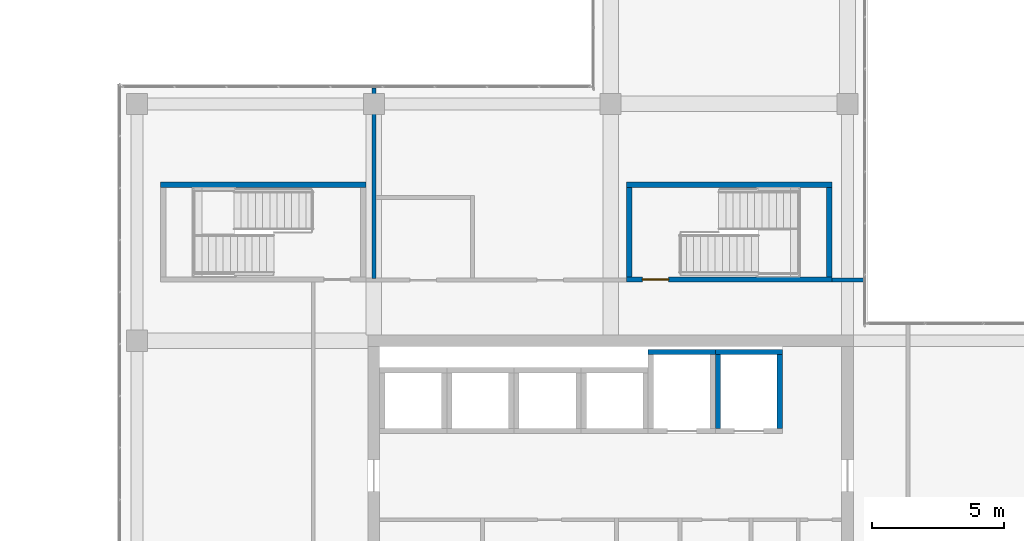
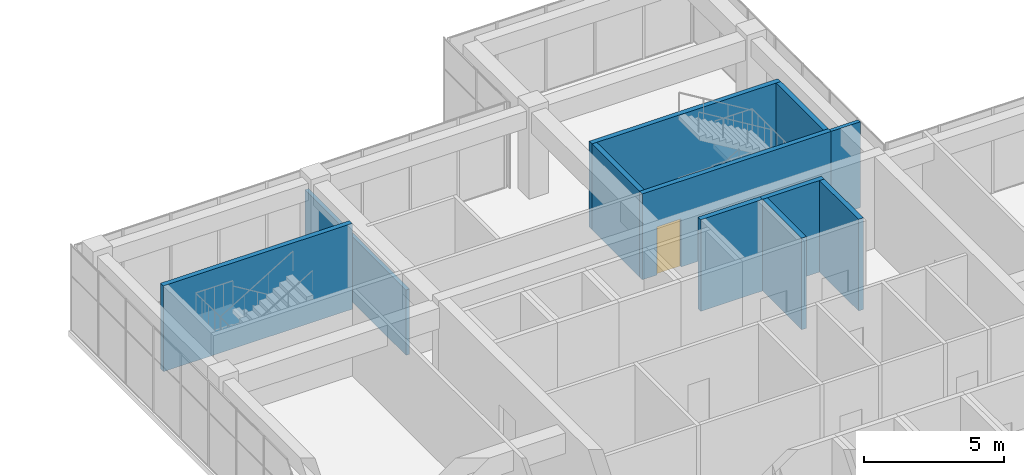
# One storey, part 51 of 55: 11 walls, 1 door, 1 opening.
"""IFC4 building model written with IfcOpenShell, lengths in metres."""

from ifc_helpers import new_model, si_unit, direction, frame, frame_2d, origin, place, context, subcontext, project, spatial, rectangle, extrude, material, layer, layer_set, type_object, element, fill, save


model = new_model("IFC4")

# Units and contexts
model_context = context("Model", 3, precision=1e-05, world=origin(), true_north=direction((0.0, 1.0)))
body_context = subcontext(model_context, "Body", "Model", "MODEL_VIEW")
ifc_project = project(units=[si_unit("LENGTHUNIT", "METRE"), si_unit("AREAUNIT", "SQUARE_METRE"), si_unit("VOLUMEUNIT", "CUBIC_METRE"), si_unit("PLANEANGLEUNIT", "RADIAN"), si_unit("MASSUNIT", "GRAM", prefix="KILO")], contexts=[model_context])

# Site, building, storey
site_placement = place(None, origin())
site = spatial("IfcSite", under=ifc_project, at=site_placement, CompositionType="ELEMENT")
building_placement = place(site_placement, origin())
building = spatial("IfcBuilding", under=site, at=building_placement, Name="Tuart Plaza Theatre", CompositionType="ELEMENT")
storey_placement = place(building_placement, frame((0.0, 0.0, 21.5)))
storey = spatial("IfcBuildingStorey", under=building, at=storey_placement, Name="L05", CompositionType="ELEMENT", Elevation=21.5)

# Walls
ifc_material_1 = material(Name="Masonry block", Category="masonry")
ifc_layer_1 = layer(ifc_material_1, 0.14990234375)
ifc_layer_set_1 = layer_set([ifc_layer_1], Name="PARTITION BLK150 MASONRYB FRL 120/-/-")
wall_type_1 = type_object("IfcWallType", Name="PARTITION BLK150 MASONRYB FRL 120/-/-", PredefinedType="PARTITIONING", material=ifc_layer_set_1)
wall_1_placement = place(storey_placement, frame((140.39990234375, 85.300048828125, 0.0), z_axis=(0.0, 0.0, 1.0), x_axis=(1.0, 0.0, 0.0)))
element("IfcWall", 1, at=wall_1_placement, inside=storey, type_object=wall_type_1, Name="P629", PredefinedType="PARTITIONING", context=body_context, shape_type="SweptSolid", body=[
    extrude(rectangle(XDim=1.2001953125, YDim=0.14990234375, at=frame_2d((0.60009765625, 0.0))), origin(), (0.0, 0.0, 1.0), 3.75),
])
wall_2_placement = place(storey_placement, frame((123.0, 85.3740234375, 0.0), z_axis=(0.0, 0.0, 1.0), x_axis=(0.0, 1.0, 0.0)))
element("IfcWall", 2, at=wall_2_placement, inside=storey, type_object=wall_type_1, Name="P631", PredefinedType="PARTITIONING", context=body_context, shape_type="SweptSolid", body=[
    extrude(rectangle(XDim=7.22607421875, YDim=0.14990234375, at=frame_2d((3.613037109375, 0.0))), origin(), (0.0, 0.0, 1.0), 2.85009765625),
])
ifc_material_2 = material(Name="Concrete N40 (40 MPa)", Category="concrete")
ifc_layer_2 = layer(ifc_material_2, 0.199951171875)
ifc_layer_set_2 = layer_set([ifc_layer_2], Name="SHEAR WALL RC200 FRL 120/120/120")
wall_type_2 = type_object("IfcWallType", Name="SHEAR WALL RC200 FRL 120/120/120", PredefinedType="SHEAR", material=ifc_layer_set_2)
wall_3_placement = place(storey_placement, frame((135.97509765625, 82.574951171875, 0.0), z_axis=(0.0, 0.0, 1.0), x_axis=(-1.0, 0.0, 0.0)))
element("IfcWall", 3, at=wall_3_placement, inside=storey, type_object=wall_type_2, Name="W1188", PredefinedType="SHEAR", context=body_context, shape_type="SweptSolid", body=[
    extrude(rectangle(XDim=2.550048828125, YDim=0.199951171875, at=frame_2d((1.27490234375, 0.0))), origin(), (0.0, 0.0, 1.0), 4.0),
])
wall_4_placement = place(storey_placement, frame((138.425048828125, 79.675048828125, 0.0), z_axis=(0.0, 0.0, 1.0), x_axis=(0.0, 1.0, 0.0)))
element("IfcWall", 4, at=wall_4_placement, inside=storey, type_object=wall_type_2, Name="W1263", PredefinedType="SHEAR", context=body_context, shape_type="SweptSolid", body=[
    extrude(rectangle(XDim=2.800048828125, YDim=0.199951171875, at=frame_2d((1.39990234375, 0.0))), origin(), (0.0, 0.0, 1.0), 4.0),
])
wall_5_placement = place(storey_placement, frame((138.52490234375, 82.574951171875, 0.0), z_axis=(0.0, 0.0, 1.0), x_axis=(-1.0, 0.0, 0.0)))
element("IfcWall", 5, at=wall_5_placement, inside=storey, type_object=wall_type_2, Name="W1264", PredefinedType="SHEAR", context=body_context, shape_type="SweptSolid", body=[
    extrude(rectangle(XDim=2.5498046875, YDim=0.199951171875, at=frame_2d((1.27490234375, 0.0))), origin(), (0.0, 0.0, 1.0), 4.0),
])
wall_6_placement = place(storey_placement, frame((136.074951171875, 82.47509765625, 0.0), z_axis=(0.0, 0.0, 1.0), x_axis=(0.0, -1.0, 0.0)))
element("IfcWall", 6, at=wall_6_placement, inside=storey, type_object=wall_type_2, Name="W1265", PredefinedType="SHEAR", context=body_context, shape_type="SweptSolid", body=[
    extrude(rectangle(XDim=2.800048828125, YDim=0.199951171875, at=frame_2d((1.39990234375, 0.0))), origin(), (0.0, 0.0, 1.0), 4.0),
])

# Wall, opening, door
wall_7_placement = place(storey_placement, frame((132.60009765625, 85.324951171875, 0.0), z_axis=(0.0, 0.0, 1.0), x_axis=(1.0, 0.0, 0.0)))
wall_7 = element("IfcWall", 7, at=wall_7_placement, inside=storey, type_object=wall_type_2, Name="P428", PredefinedType="SHEAR", context=body_context, shape_type="SweptSolid", body=[
    extrude(rectangle(XDim=7.7998046875, YDim=0.199951171875, at=frame_2d((3.89990234375, 0.0))), origin(), (0.0, 0.0, 1.0), 3.75),
])
opening_placement = place(wall_7_placement, frame((0.60009765625, 0.0, 0.0)))
opening = element("IfcOpeningElement", 8, at=opening_placement, cuts=wall_7, Name="Opening L05-012", PredefinedType="OPENING", context=body_context, shape_type="SweptSolid", body=[
    extrude(rectangle(XDim=1.0, YDim=2.10009765625, at=frame_2d((0.5, 1.050048828125))), frame((0.0, 0.10986328125, 0.0), z_axis=(0.0, -1.0, 0.0), x_axis=(1.0, 0.0, 0.0)), (0.0, 0.0, 1.0), 0.219970703125),
])
ifc_material_3 = material(Name="Steel Grade 300", Category="steel")
door_type = type_object("IfcDoorType", Name="DOOR 1000x2100 steel single swing FRL -/120/30", OperationType="SINGLE_SWING_LEFT", PredefinedType="DOOR", material=ifc_material_3)
door_placement = place(opening_placement, origin())
door = element("IfcDoor", 9, at=door_placement, inside=storey, type_object=door_type, Name="L05-012", OperationType="SINGLE_SWING_RIGHT", OverallHeight=2.10009765625, OverallWidth=1.0, PredefinedType="DOOR", context=body_context, shape_type="SweptSolid", body=[
    extrude(rectangle(XDim=1.0, YDim=2.10009765625, at=frame_2d((0.5, 1.050048828125))), frame((0.0, 0.02490234375, 0.0), z_axis=(0.0, -1.0, 0.0), x_axis=(1.0, 0.0, 0.0)), (0.0, 0.0, 1.0), 0.050048828125),
])
fill(opening, door)

# Walls
wall_8_placement = place(storey_placement, frame((140.300048828125, 85.425048828125, 0.0), z_axis=(0.0, 0.0, 1.0), x_axis=(0.0, 1.0, 0.0)))
element("IfcWall", 10, at=wall_8_placement, inside=storey, type_object=wall_type_2, Name="P429", PredefinedType="SHEAR", context=body_context, shape_type="SweptSolid", body=[
    extrude(rectangle(XDim=3.39990234375, YDim=0.199951171875, at=frame_2d((1.699951171875, 0.0))), origin(), (0.0, 0.0, 1.0), 3.75),
])
wall_9_placement = place(storey_placement, frame((140.39990234375, 88.925048828125, 0.0), z_axis=(0.0, 0.0, 1.0), x_axis=(-1.0, 0.0, 0.0)))
element("IfcWall", 11, at=wall_9_placement, inside=storey, type_object=wall_type_2, Name="P430", PredefinedType="SHEAR", context=body_context, shape_type="SweptSolid", body=[
    extrude(rectangle(XDim=7.7998046875, YDim=0.199951171875, at=frame_2d((3.89990234375, 0.0))), origin(), (0.0, 0.0, 1.0), 3.75),
])
wall_10_placement = place(storey_placement, frame((132.699951171875, 88.824951171875, 0.0), z_axis=(0.0, 0.0, 1.0), x_axis=(0.0, -1.0, 0.0)))
element("IfcWall", 12, at=wall_10_placement, inside=storey, type_object=wall_type_2, Name="P431", PredefinedType="SHEAR", context=body_context, shape_type="SweptSolid", body=[
    extrude(rectangle(XDim=3.39990234375, YDim=0.199951171875, at=frame_2d((1.699951171875, 0.0))), origin(), (0.0, 0.0, 1.0), 3.75),
])
wall_11_placement = place(storey_placement, frame((122.699951171875, 88.925048828125, 0.0), z_axis=(0.0, 0.0, 1.0), x_axis=(-1.0, 0.0, 0.0)))
element("IfcWall", 13, at=wall_11_placement, inside=storey, type_object=wall_type_2, Name="P458", PredefinedType="SHEAR", context=body_context, shape_type="SweptSolid", body=[
    extrude(rectangle(XDim=7.800048828125, YDim=0.199951171875, at=frame_2d((3.89990234375, 0.0))), origin(), (0.0, 0.0, 1.0), 3.75),
])

save(model, "model.ifc")
